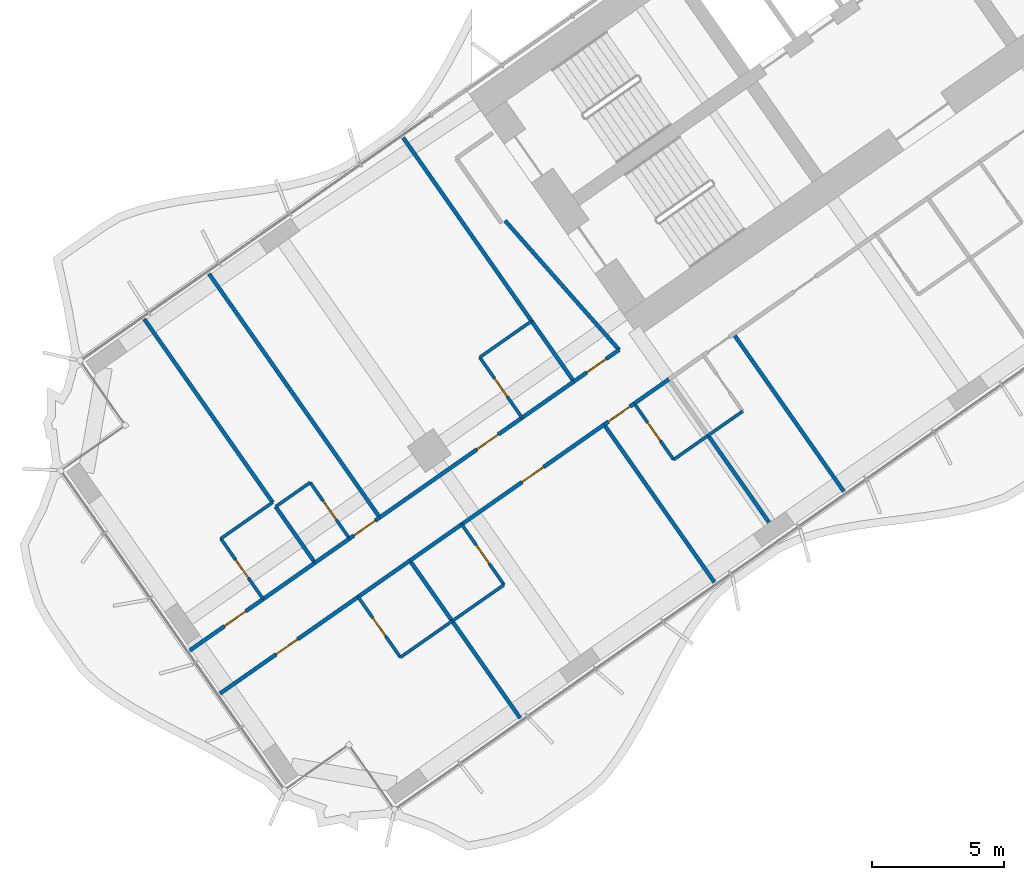
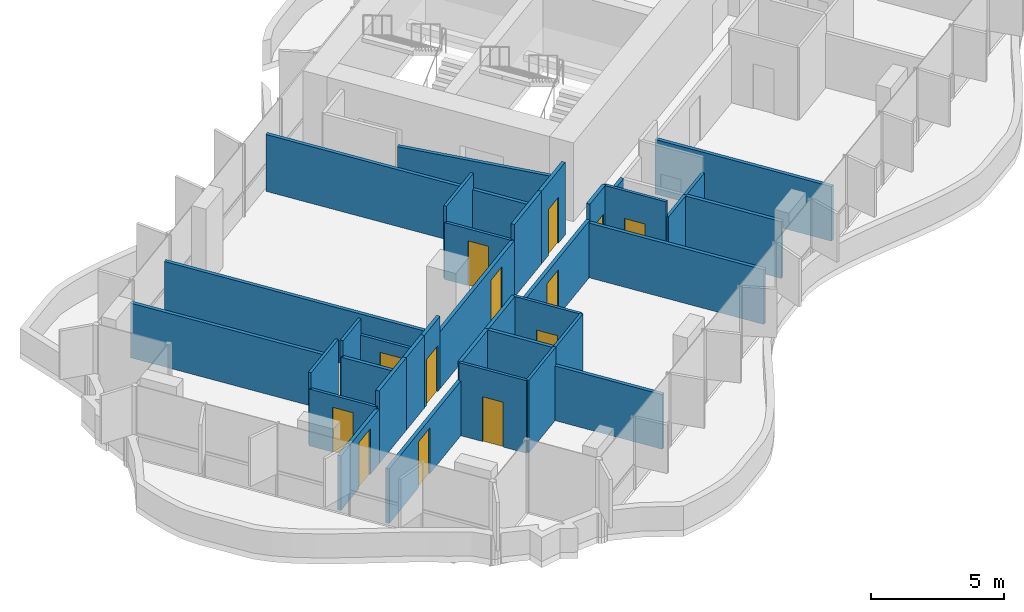
# One storey, part 12 of 23: 37 walls, 13 doors, 13 openings.
"""IFC4 building model written with IfcOpenShell, lengths in metres."""

from ifc_helpers import new_model, si_unit, direction, frame, frame_2d, origin, place, context, subcontext, project, spatial, rectangle, extrude, material, layer, layer_set, type_object, element, fill, save


model = new_model("IFC4")

# Units and contexts
model_context = context("Model", 3, precision=1e-05, world=origin(), true_north=direction((0.0, 1.0)))
body_context = subcontext(model_context, "Body", "Model", "MODEL_VIEW")
ifc_project = project(units=[si_unit("LENGTHUNIT", "METRE"), si_unit("AREAUNIT", "SQUARE_METRE"), si_unit("VOLUMEUNIT", "CUBIC_METRE"), si_unit("PLANEANGLEUNIT", "RADIAN"), si_unit("MASSUNIT", "GRAM", prefix="KILO")], contexts=[model_context])

# Site, building, storey
site_placement = place(None, origin())
site = spatial("IfcSite", under=ifc_project, at=site_placement, CompositionType="ELEMENT")
building_placement = place(site_placement, origin())
building = spatial("IfcBuilding", under=site, at=building_placement, Name="Tel Ilan Convention Tower", CompositionType="ELEMENT")
storey_placement = place(building_placement, frame((0.0, 0.0, 86.89990234375)))
storey = spatial("IfcBuildingStorey", under=building, at=storey_placement, Name="L17", CompositionType="ELEMENT", Elevation=86.89990234375)

# Wall, opening, door
ifc_material_1 = material(Name="Plasterboard on Steel Studs", Category="steel")
ifc_layer_1 = layer(ifc_material_1, 0.14990234375)
ifc_layer_set_1 = layer_set([ifc_layer_1], Name="Fire-rated Partition 150 EI 60")
wall_type_1 = type_object("IfcWallType", Name="Fire-rated Partition 150 EI 60", PredefinedType="PARTITIONING", material=ifc_layer_set_1)
wall_1_placement = place(storey_placement, frame((-24.002685546875, -18.027587890625, 0.0), z_axis=(0.0, 0.0, 1.0), x_axis=(0.819160859995, 0.573563846013, 0.0)))
wall_1 = element("IfcWall", 1, at=wall_1_placement, inside=storey, type_object=wall_type_1, Name="Partition 017", PredefinedType="PARTITIONING", context=body_context, shape_type="SweptSolid", body=[
    extrude(rectangle(XDim=2.098388671875, YDim=0.14990234375, at=frame_2d((1.04931640625, 0.0))), origin(), (0.0, 0.0, 1.0), 3.320068359375),
])
opening_1_placement = place(wall_1_placement, frame((0.59912109375, 0.0, 0.0)))
opening_1 = element("IfcOpeningElement", 2, at=opening_1_placement, cuts=wall_1, Name="Opening L15-013", PredefinedType="OPENING", context=body_context, shape_type="SweptSolid", body=[
    extrude(rectangle(XDim=0.89990234375, YDim=2.10009765625, at=frame_2d((0.449951171875, 1.050048828125))), frame((0.0, 0.0849609375, 0.0), z_axis=(0.0, -1.0, 0.0), x_axis=(1.0, 0.0, 0.0)), (0.0, 0.0, 1.0), 0.169921875),
])
ifc_material_2 = material(Name="Timber Door Leaf in Steel Frame", Category="steel")
door_type_1 = type_object("IfcDoorType", Name="Room Fire Door 900x2100", OperationType="NOTDEFINED", PredefinedType="DOOR", material=ifc_material_2)
door_1_placement = place(opening_1_placement, origin())
door_1 = element("IfcDoor", 3, at=door_1_placement, inside=storey, type_object=door_type_1, Name="Door L15-013", OperationType="SINGLE_SWING_LEFT", OverallHeight=2.10009765625, OverallWidth=0.89990234375, PredefinedType="DOOR", context=body_context, shape_type="SweptSolid", body=[
    extrude(rectangle(XDim=0.89990234375, YDim=2.10009765625, at=frame_2d((0.449951171875, 1.050048828125))), frame((0.0, 0.02490234375, 0.0), z_axis=(0.0, -1.0, 0.0), x_axis=(1.0, 0.0, 0.0)), (0.0, 0.0, 1.0), 0.050048828125),
])
fill(opening_1, door_1)

wall_2_placement = place(storey_placement, frame((-31.375, -23.189697265625, 0.0), z_axis=(0.0, 0.0, 1.0), x_axis=(0.819171118839, 0.573549194106, 0.0)))
wall_2 = element("IfcWall", 4, at=wall_2_placement, inside=storey, type_object=wall_type_1, Name="Partition 018", PredefinedType="PARTITIONING", context=body_context, shape_type="SweptSolid", body=[
    extrude(rectangle(XDim=6.60302734375, YDim=0.14990234375, at=frame_2d((3.301513671875, 0.0))), origin(), (0.0, 0.0, 1.0), 2.60009765625),
])
opening_2_placement = place(wall_2_placement, frame((4.501953125, 0.0, 0.0)))
opening_2 = element("IfcOpeningElement", 5, at=opening_2_placement, cuts=wall_2, Name="Opening L15-015", PredefinedType="OPENING", context=body_context, shape_type="SweptSolid", body=[
    extrude(rectangle(XDim=1.0, YDim=2.10009765625, at=frame_2d((0.5, 1.050048828125))), frame((0.0, 0.0849609375, 0.0), z_axis=(0.0, -1.0, 0.0), x_axis=(1.0, 0.0, 0.0)), (0.0, 0.0, 1.0), 0.169921875),
])
ifc_material_3 = material(Name="Timber Door Leaf in Steel Frame", Category="steel")
door_type_2 = type_object("IfcDoorType", Name="Hotel Room Entrance Fire Door 1000x2100", OperationType="NOTDEFINED", PredefinedType="DOOR", material=ifc_material_3)
door_2_placement = place(opening_2_placement, origin())
door_2 = element("IfcDoor", 6, at=door_2_placement, inside=storey, type_object=door_type_2, Name="Door L15-015", OperationType="SINGLE_SWING_LEFT", OverallHeight=2.10009765625, OverallWidth=1.0, PredefinedType="DOOR", context=body_context, shape_type="SweptSolid", body=[
    extrude(rectangle(XDim=1.0, YDim=2.10009765625, at=frame_2d((0.5, 1.050048828125))), frame((0.0, 0.02490234375, 0.0), z_axis=(0.0, -1.0, 0.0), x_axis=(1.0, 0.0, 0.0)), (0.0, 0.0, 1.0), 0.050048828125),
])
fill(opening_2, door_2)

# Wall
wall_3_placement = place(storey_placement, frame((-25.968505859375, -19.404296875, 0.0), z_axis=(0.0, 0.0, 1.0), x_axis=(0.819146032251, 0.573585022335, 0.0)))
element("IfcWall", 7, at=wall_3_placement, inside=storey, type_object=wall_type_1, Name="Partition 019", PredefinedType="PARTITIONING", context=body_context, shape_type="SweptSolid", body=[
    extrude(rectangle(XDim=2.404052734375, YDim=0.14990234375, at=frame_2d((1.2021484375, 0.0))), origin(), (0.0, 0.0, 1.0), 3.320068359375),
])

# Wall, opening, door
wall_4_placement = place(storey_placement, frame((-32.52099609375, -23.9921875, 0.0), z_axis=(0.0, 0.0, 1.0), x_axis=(0.819199220913, 0.573509055252, 0.0)))
wall_4 = element("IfcWall", 8, at=wall_4_placement, inside=storey, type_object=wall_type_1, Name="Partition 020", PredefinedType="PARTITIONING", context=body_context, shape_type="SweptSolid", body=[
    extrude(rectangle(XDim=1.403076171875, YDim=0.14990234375, at=frame_2d((0.70166015625, 0.0))), origin(), (0.0, 0.0, 1.0), 3.320068359375),
])
opening_3_placement = place(wall_4_placement, frame((0.200927734375, 0.0, 0.0)))
opening_3 = element("IfcOpeningElement", 9, at=opening_3_placement, cuts=wall_4, Name="Opening L15-017", PredefinedType="OPENING", context=body_context, shape_type="SweptSolid", body=[
    extrude(rectangle(XDim=1.0, YDim=2.10009765625, at=frame_2d((0.5, 1.050048828125))), frame((0.0, 0.0849609375, 0.0), z_axis=(0.0, -1.0, 0.0), x_axis=(1.0, 0.0, 0.0)), (0.0, 0.0, 1.0), 0.169921875),
])
door_3_placement = place(opening_3_placement, origin())
door_3 = element("IfcDoor", 10, at=door_3_placement, inside=storey, type_object=door_type_2, Name="Door L15-017", OperationType="SINGLE_SWING_RIGHT", OverallHeight=2.10009765625, OverallWidth=1.0, PredefinedType="DOOR", context=body_context, shape_type="SweptSolid", body=[
    extrude(rectangle(XDim=1.0, YDim=2.10009765625, at=frame_2d((0.5, 1.050048828125))), frame((0.0, 0.02490234375, 0.0), z_axis=(0.0, -1.0, 0.0), x_axis=(1.0, 0.0, 0.0)), (0.0, 0.0, 1.0), 0.050048828125),
])
fill(opening_3, door_3)

# Wall
wall_5_placement = place(storey_placement, frame((-33.83251953125, -24.910400390625, 0.0), z_axis=(0.0, 0.0, 1.0), x_axis=(0.819189013667, 0.573523634986, 0.0)))
element("IfcWall", 11, at=wall_5_placement, inside=storey, type_object=wall_type_1, Name="Partition 021", PredefinedType="PARTITIONING", context=body_context, shape_type="SweptSolid", body=[
    extrude(rectangle(XDim=1.60400390625, YDim=0.14990234375, at=frame_2d((0.802001953125, 0.0))), origin(), (0.0, 0.0, 1.0), 3.320068359375),
])

# Wall, opening, door
wall_6_placement = place(storey_placement, frame((-38.581787109375, -28.236083984375, 0.0), z_axis=(0.0, 0.0, 1.0), x_axis=(0.819154345195, 0.573573150303, 0.0)))
wall_6 = element("IfcWall", 12, at=wall_6_placement, inside=storey, type_object=wall_type_1, Name="Partition 022", PredefinedType="PARTITIONING", context=body_context, shape_type="SweptSolid", body=[
    extrude(rectangle(XDim=3.40087890625, YDim=0.14990234375, at=frame_2d((1.700439453125, 0.0))), origin(), (0.0, 0.0, 1.0), 2.5),
])
opening_4_placement = place(wall_6_placement, frame((1.60009765625, 0.0, 0.0)))
opening_4 = element("IfcOpeningElement", 13, at=opening_4_placement, cuts=wall_6, Name="Opening L15-019", PredefinedType="OPENING", context=body_context, shape_type="SweptSolid", body=[
    extrude(rectangle(XDim=1.0, YDim=2.10009765625, at=frame_2d((0.5, 1.050048828125))), frame((0.0, 0.0849609375, 0.0), z_axis=(0.0, -1.0, 0.0), x_axis=(1.0, 0.0, 0.0)), (0.0, 0.0, 1.0), 0.169921875),
])
door_4_placement = place(opening_4_placement, origin())
door_4 = element("IfcDoor", 14, at=door_4_placement, inside=storey, type_object=door_type_2, Name="Door L15-019", OperationType="SINGLE_SWING_LEFT", OverallHeight=2.10009765625, OverallWidth=1.0, PredefinedType="DOOR", context=body_context, shape_type="SweptSolid", body=[
    extrude(rectangle(XDim=1.0, YDim=2.10009765625, at=frame_2d((0.5, 1.050048828125))), frame((0.0, 0.02490234375, 0.0), z_axis=(0.0, -1.0, 0.0), x_axis=(1.0, 0.0, 0.0)), (0.0, 0.0, 1.0), 0.050048828125),
])
fill(opening_4, door_4)

# Wall
wall_7_placement = place(storey_placement, frame((-35.79833984375, -26.287109375, 0.0), z_axis=(0.0, 0.0, 1.0), x_axis=(0.819146032251, 0.573585022335, 0.0)))
element("IfcWall", 15, at=wall_7_placement, inside=storey, type_object=wall_type_1, Name="Partition 023", PredefinedType="PARTITIONING", context=body_context, shape_type="SweptSolid", body=[
    extrude(rectangle(XDim=2.404052734375, YDim=0.14990234375, at=frame_2d((1.2021484375, 0.0))), origin(), (0.0, 0.0, 1.0), 3.320068359375),
])

# Wall, opening, door
wall_8_placement = place(storey_placement, frame((-21.706298828125, -18.861083984375, 0.0), z_axis=(0.0, 0.0, 1.0), x_axis=(-0.819060210533, -0.573707566205, 0.0)))
wall_8 = element("IfcWall", 16, at=wall_8_placement, inside=storey, type_object=wall_type_1, Name="Partition 030", PredefinedType="PARTITIONING", context=body_context, shape_type="SweptSolid", body=[
    extrude(rectangle(XDim=1.403076171875, YDim=0.14990234375, at=frame_2d((0.70166015625, 0.0))), origin(), (0.0, 0.0, 1.0), 3.320068359375),
])
opening_5_placement = place(wall_8_placement, frame((0.200927734375, 0.0, 0.0)))
opening_5 = element("IfcOpeningElement", 17, at=opening_5_placement, cuts=wall_8, Name="Opening L15-008", PredefinedType="OPENING", context=body_context, shape_type="SweptSolid", body=[
    extrude(rectangle(XDim=1.0, YDim=2.10009765625, at=frame_2d((0.5, 1.050048828125))), frame((0.0, 0.0849609375, 0.0), z_axis=(0.0, -1.0, 0.0), x_axis=(1.0, 0.0, 0.0)), (0.0, 0.0, 1.0), 0.169921875),
])
door_5_placement = place(opening_5_placement, origin())
door_5 = element("IfcDoor", 18, at=door_5_placement, inside=storey, type_object=door_type_2, Name="Door L15-008", OperationType="SINGLE_SWING_LEFT", OverallHeight=2.10009765625, OverallWidth=1.0, PredefinedType="DOOR", context=body_context, shape_type="SweptSolid", body=[
    extrude(rectangle(XDim=1.0, YDim=2.10009765625, at=frame_2d((0.5, 1.050048828125))), frame((0.0, 0.02490234375, 0.0), z_axis=(0.0, -1.0, 0.0), x_axis=(1.0, 0.0, 0.0)), (0.0, 0.0, 1.0), 0.050048828125),
])
fill(opening_5, door_5)

# Wall
wall_9_placement = place(storey_placement, frame((-20.394775390625, -17.94287109375, 0.0), z_axis=(0.0, 0.0, 1.0), x_axis=(-0.819189013667, -0.573523634986, 0.0)))
element("IfcWall", 19, at=wall_9_placement, inside=storey, type_object=wall_type_1, Name="Partition 031", PredefinedType="PARTITIONING", context=body_context, shape_type="SweptSolid", body=[
    extrude(rectangle(XDim=1.60400390625, YDim=0.14990234375, at=frame_2d((0.802001953125, 0.0))), origin(), (0.0, 0.0, 1.0), 2.60009765625),
])

# Wall, opening, door
wall_10_placement = place(storey_placement, frame((-22.852294921875, -19.66357421875, 0.0), z_axis=(0.0, 0.0, 1.0), x_axis=(-0.819141582452, -0.573591377113, 0.0)))
wall_10 = element("IfcWall", 20, at=wall_10_placement, inside=storey, type_object=wall_type_1, Name="Partition 032", PredefinedType="PARTITIONING", context=body_context, shape_type="SweptSolid", body=[
    extrude(rectangle(XDim=6.602783203125, YDim=0.14990234375, at=frame_2d((3.30126953125, 0.0))), origin(), (0.0, 0.0, 1.0), 2.60009765625),
])
opening_6_placement = place(wall_10_placement, frame((2.802001953125, 0.0, 0.0)))
opening_6 = element("IfcOpeningElement", 21, at=opening_6_placement, cuts=wall_10, Name="Opening L15-010", PredefinedType="OPENING", context=body_context, shape_type="SweptSolid", body=[
    extrude(rectangle(XDim=1.0, YDim=2.10009765625, at=frame_2d((0.5, 1.050048828125))), frame((0.0, 0.0849609375, 0.0), z_axis=(0.0, -1.0, 0.0), x_axis=(1.0, 0.0, 0.0)), (0.0, 0.0, 1.0), 0.169921875),
])
door_6_placement = place(opening_6_placement, origin())
door_6 = element("IfcDoor", 22, at=door_6_placement, inside=storey, type_object=door_type_2, Name="Door L15-010", OperationType="SINGLE_SWING_LEFT", OverallHeight=2.10009765625, OverallWidth=1.0, PredefinedType="DOOR", context=body_context, shape_type="SweptSolid", body=[
    extrude(rectangle(XDim=1.0, YDim=2.10009765625, at=frame_2d((0.5, 1.050048828125))), frame((0.0, 0.02490234375, 0.0), z_axis=(0.0, -1.0, 0.0), x_axis=(1.0, 0.0, 0.0)), (0.0, 0.0, 1.0), 0.050048828125),
])
fill(opening_6, door_6)

# Wall
wall_11_placement = place(storey_placement, frame((-28.258544921875, -23.44921875, 0.0), z_axis=(0.0, 0.0, 1.0), x_axis=(-0.819146032251, -0.573585022335, 0.0)))
element("IfcWall", 23, at=wall_11_placement, inside=storey, type_object=wall_type_1, Name="Partition 033", PredefinedType="PARTITIONING", context=body_context, shape_type="SweptSolid", body=[
    extrude(rectangle(XDim=2.404052734375, YDim=0.14990234375, at=frame_2d((1.2021484375, 0.0))), origin(), (0.0, 0.0, 1.0), 3.320068359375),
])

# Wall, opening, door
wall_12_placement = place(storey_placement, frame((-32.19140625, -26.202880859375, 0.0), z_axis=(0.0, 0.0, 1.0), x_axis=(-0.819140526837, -0.573592884626, 0.0)))
wall_12 = element("IfcWall", 24, at=wall_12_placement, inside=storey, type_object=wall_type_1, Name="Partition 034", PredefinedType="PARTITIONING", context=body_context, shape_type="SweptSolid", body=[
    extrude(rectangle(XDim=6.401123046875, YDim=0.14990234375, at=frame_2d((3.20068359375, 0.0))), origin(), (0.0, 0.0, 1.0), 2.5),
])
opening_7_placement = place(wall_12_placement, frame((2.801025390625, 0.0, 0.0)))
opening_7 = element("IfcOpeningElement", 25, at=opening_7_placement, cuts=wall_12, Name="Opening L15-012", PredefinedType="OPENING", context=body_context, shape_type="SweptSolid", body=[
    extrude(rectangle(XDim=1.0, YDim=2.10009765625, at=frame_2d((0.5, 1.050048828125))), frame((0.0, 0.0849609375, 0.0), z_axis=(0.0, -1.0, 0.0), x_axis=(1.0, 0.0, 0.0)), (0.0, 0.0, 1.0), 0.169921875),
])
door_7_placement = place(opening_7_placement, origin())
door_7 = element("IfcDoor", 26, at=door_7_placement, inside=storey, type_object=door_type_2, Name="Door L15-012", OperationType="SINGLE_SWING_LEFT", OverallHeight=2.10009765625, OverallWidth=1.0, PredefinedType="DOOR", context=body_context, shape_type="SweptSolid", body=[
    extrude(rectangle(XDim=1.0, YDim=2.10009765625, at=frame_2d((0.5, 1.050048828125))), frame((0.0, 0.02490234375, 0.0), z_axis=(0.0, -1.0, 0.0), x_axis=(1.0, 0.0, 0.0)), (0.0, 0.0, 1.0), 0.050048828125),
])
fill(opening_7, door_7)

# Walls
wall_13_placement = place(storey_placement, frame((-30.224609375, -24.82568359375, 0.0), z_axis=(0.0, 0.0, 1.0), x_axis=(-0.819146032251, -0.573585022335, 0.0)))
element("IfcWall", 27, at=wall_13_placement, inside=storey, type_object=wall_type_1, Name="Partition 035", PredefinedType="PARTITIONING", context=body_context, shape_type="SweptSolid", body=[
    extrude(rectangle(XDim=2.404052734375, YDim=0.14990234375, at=frame_2d((1.2021484375, 0.0))), origin(), (0.0, 0.0, 1.0), 3.320068359375),
])
wall_14_placement = place(storey_placement, frame((-22.2841796875, -16.82666015625, 0.0), z_axis=(0.0, 0.0, 1.0), x_axis=(-0.661545117561, 0.749905365651, 0.0)))
element("IfcWall", 28, at=wall_14_placement, inside=storey, type_object=wall_type_1, Name="Partition 067", PredefinedType="PARTITIONING", context=body_context, shape_type="SweptSolid", body=[
    extrude(rectangle(XDim=6.542724609375, YDim=0.14990234375, at=frame_2d((3.271484375, 0.0))), origin(), (0.0, 0.0, 1.0), 2.60009765625),
])
wall_15_placement = place(storey_placement, frame((-25.6064453125, -15.733642578125, 0.0), z_axis=(0.0, 0.0, 1.0), x_axis=(-0.573576058406, 0.819152308929, 0.0)))
element("IfcWall", 29, at=wall_15_placement, inside=storey, type_object=wall_type_1, Name="Partition 068", PredefinedType="PARTITIONING", context=body_context, shape_type="SweptSolid", body=[
    extrude(rectangle(XDim=8.5009765625, YDim=0.14990234375, at=frame_2d((4.25048828125, 0.0))), origin(), (0.0, 0.0, 1.0), 2.60009765625),
])
wall_16_placement = place(storey_placement, frame((-24.0009765625, -18.0263671875, 0.0), z_axis=(0.0, 0.0, 1.0), x_axis=(-0.573596837309, 0.819137759006, 0.0)))
element("IfcWall", 30, at=wall_16_placement, inside=storey, type_object=wall_type_1, Name="Partition 069", PredefinedType="PARTITIONING", context=body_context, shape_type="SweptSolid", body=[
    extrude(rectangle(XDim=2.802001953125, YDim=0.14990234375, at=frame_2d((1.40087890625, 0.0))), origin(), (0.0, 0.0, 1.0), 2.60009765625),
])
wall_17_placement = place(storey_placement, frame((-31.373291015625, -23.188720703125, 0.0), z_axis=(0.0, 0.0, 1.0), x_axis=(-0.573571089604, 0.819155788095, 0.0)))
element("IfcWall", 31, at=wall_17_placement, inside=storey, type_object=wall_type_1, Name="Partition 072", PredefinedType="PARTITIONING", context=body_context, shape_type="SweptSolid", body=[
    extrude(rectangle(XDim=11.300048828125, YDim=0.14990234375, at=frame_2d((5.64990234375, 0.0))), origin(), (0.0, 0.0, 1.0), 2.5),
])
wall_18_placement = place(storey_placement, frame((-35.436279296875, -22.61669921875, 0.0), z_axis=(0.0, 0.0, 1.0), x_axis=(-0.57356256513, 0.819161756848, 0.0)))
element("IfcWall", 32, at=wall_18_placement, inside=storey, type_object=wall_type_1, Name="Partition 075", PredefinedType="PARTITIONING", context=body_context, shape_type="SweptSolid", body=[
    extrude(rectangle(XDim=8.501220703125, YDim=0.14990234375, at=frame_2d((4.25048828125, 0.0))), origin(), (0.0, 0.0, 1.0), 2.5),
])
wall_19_placement = place(storey_placement, frame((-33.830810546875, -24.909423828125, 0.0), z_axis=(0.0, 0.0, 1.0), x_axis=(-0.573537965655, 0.819178980414, 0.0)))
element("IfcWall", 33, at=wall_19_placement, inside=storey, type_object=wall_type_1, Name="Partition 076", PredefinedType="PARTITIONING", context=body_context, shape_type="SweptSolid", body=[
    extrude(rectangle(XDim=2.60009765625, YDim=0.14990234375, at=frame_2d((1.300048828125, 0.0))), origin(), (0.0, 0.0, 1.0), 2.60009765625),
])
wall_20_placement = place(storey_placement, frame((-13.751708984375, -22.203125, 0.0), z_axis=(0.0, 0.0, 1.0), x_axis=(-0.573594765376, 0.819139209862, 0.0)))
element("IfcWall", 34, at=wall_20_placement, inside=storey, type_object=wall_type_1, Name="Partition 085", PredefinedType="PARTITIONING", context=body_context, shape_type="SweptSolid", body=[
    extrude(rectangle(XDim=7.300048828125, YDim=0.14990234375, at=frame_2d((3.64990234375, 0.0))), origin(), (0.0, 0.0, 1.0), 2.5),
])
wall_21_placement = place(storey_placement, frame((-16.593505859375, -23.375, 0.0), z_axis=(0.0, 0.0, 1.0), x_axis=(-0.573600608675, 0.819135118114, 0.0)))
element("IfcWall", 35, at=wall_21_placement, inside=storey, type_object=wall_type_1, Name="Partition 088", PredefinedType="PARTITIONING", context=body_context, shape_type="SweptSolid", body=[
    extrude(rectangle(XDim=4.029052734375, YDim=0.14990234375, at=frame_2d((2.0146484375, 0.0))), origin(), (0.0, 0.0, 1.0), 2.60009765625),
])
wall_22_placement = place(storey_placement, frame((-18.666748046875, -25.64453125, 0.0), z_axis=(0.0, 0.0, 1.0), x_axis=(-0.573572324301, 0.819154923562, 0.0)))
element("IfcWall", 36, at=wall_22_placement, inside=storey, type_object=wall_type_1, Name="Partition 092", PredefinedType="PARTITIONING", context=body_context, shape_type="SweptSolid", body=[
    extrude(rectangle(XDim=7.2998046875, YDim=0.14990234375, at=frame_2d((3.64990234375, 0.0))), origin(), (0.0, 0.0, 1.0), 2.5),
])
wall_23_placement = place(storey_placement, frame((-26.0390625, -30.806640625, 0.0), z_axis=(0.0, 0.0, 1.0), x_axis=(-0.573589807488, 0.819142681555, 0.0)))
element("IfcWall", 37, at=wall_23_placement, inside=storey, type_object=wall_type_1, Name="Partition 095", PredefinedType="PARTITIONING", context=body_context, shape_type="SweptSolid", body=[
    extrude(rectangle(XDim=4.4990234375, YDim=0.14990234375, at=frame_2d((2.24951171875, 0.0))), origin(), (0.0, 0.0, 1.0), 2.5),
])
wall_24_placement = place(storey_placement, frame((-28.6201171875, -27.12060546875, 0.0), z_axis=(0.0, 0.0, 1.0), x_axis=(-0.573608623498, 0.819129505664, 0.0)))
element("IfcWall", 38, at=wall_24_placement, inside=storey, type_object=wall_type_1, Name="Partition 096", PredefinedType="PARTITIONING", context=body_context, shape_type="SweptSolid", body=[
    extrude(rectangle(XDim=2.800048828125, YDim=0.14990234375, at=frame_2d((1.39990234375, 0.0))), origin(), (0.0, 0.0, 1.0), 3.320068359375),
])
ifc_material_4 = material(Name="Plasterboard on Steel Studs", Category="steel")
ifc_layer_2 = layer(ifc_material_4, 0.1201171875)
ifc_layer_set_2 = layer_set([ifc_layer_2], Name="Moisture-resistant Partition 120")
wall_type_2 = type_object("IfcWallType", Name="Moisture-resistant Partition 120", PredefinedType="PARTITIONING", material=ifc_layer_set_2)
wall_25_placement = place(storey_placement, frame((-25.607666015625, -15.73193359375, 0.0), z_axis=(0.0, 0.0, 1.0), x_axis=(-0.819107643868, -0.573639841501, 0.0)))
element("IfcWall", 39, at=wall_25_placement, inside=storey, type_object=wall_type_2, Name="Partition 070", PredefinedType="PARTITIONING", context=body_context, shape_type="SweptSolid", body=[
    extrude(rectangle(XDim=2.39990234375, YDim=0.1201171875, at=frame_2d((1.199951171875, 0.0))), origin(), (0.0, 0.0, 1.0), 3.320068359375),
])

# Wall, opening, door
wall_26_placement = place(storey_placement, frame((-27.57373046875, -17.110107421875, 0.0), z_axis=(0.0, 0.0, 1.0), x_axis=(0.573591086599, -0.819141785879, 0.0)))
wall_26 = element("IfcWall", 40, at=wall_26_placement, inside=storey, type_object=wall_type_2, Name="Partition 071", PredefinedType="PARTITIONING", context=body_context, shape_type="SweptSolid", body=[
    extrude(rectangle(XDim=2.7998046875, YDim=0.1201171875, at=frame_2d((1.39990234375, 0.0))), origin(), (0.0, 0.0, 1.0), 2.60009765625),
])
opening_8_placement = place(wall_26_placement, frame((0.97509765625, 0.0, 0.0)))
opening_8 = element("IfcOpeningElement", 41, at=opening_8_placement, cuts=wall_26, Name="Opening L15-014", PredefinedType="OPENING", context=body_context, shape_type="SweptSolid", body=[
    extrude(rectangle(XDim=0.85009765625, YDim=2.050048828125, at=frame_2d((0.425048828125, 1.02490234375))), frame((0.0, 0.070068359375, 0.0), z_axis=(0.0, -1.0, 0.0), x_axis=(1.0, 0.0, 0.0)), (0.0, 0.0, 1.0), 0.14013671875),
])
ifc_material_5 = material(Name="Timber Door Leaf in Steel Frame", Category="steel")
door_type_3 = type_object("IfcDoorType", Name="Bathroom Timber Door 850x2050", OperationType="NOTDEFINED", PredefinedType="DOOR", material=ifc_material_5)
door_8_placement = place(opening_8_placement, origin())
door_8 = element("IfcDoor", 42, at=door_8_placement, inside=storey, type_object=door_type_3, Name="Door L15-014", OperationType="SINGLE_SWING_RIGHT", OverallHeight=2.050048828125, OverallWidth=0.85009765625, PredefinedType="DOOR", context=body_context, shape_type="SweptSolid", body=[
    extrude(rectangle(XDim=0.85009765625, YDim=2.050048828125, at=frame_2d((0.425048828125, 1.02490234375))), frame((0.0, 0.02490234375, 0.0), z_axis=(0.0, -1.0, 0.0), x_axis=(1.0, 0.0, 0.0)), (0.0, 0.0, 1.0), 0.050048828125),
])
fill(opening_8, door_8)

wall_27_placement = place(storey_placement, frame((-32.519287109375, -23.9912109375, 0.0), z_axis=(0.0, 0.0, 1.0), x_axis=(-0.573537965655, 0.819178980414, 0.0)))
wall_27 = element("IfcWall", 43, at=wall_27_placement, inside=storey, type_object=wall_type_2, Name="Partition 073", PredefinedType="PARTITIONING", context=body_context, shape_type="SweptSolid", body=[
    extrude(rectangle(XDim=2.60009765625, YDim=0.1201171875, at=frame_2d((1.300048828125, 0.0))), origin(), (0.0, 0.0, 1.0), 2.60009765625),
])
opening_9_placement = place(wall_27_placement, frame((0.875, 0.0, 0.0)))
opening_9 = element("IfcOpeningElement", 44, at=opening_9_placement, cuts=wall_27, Name="Opening L15-016", PredefinedType="OPENING", context=body_context, shape_type="SweptSolid", body=[
    extrude(rectangle(XDim=0.85009765625, YDim=2.050048828125, at=frame_2d((0.425048828125, 1.02490234375))), frame((0.0, 0.070068359375, 0.0), z_axis=(0.0, -1.0, 0.0), x_axis=(1.0, 0.0, 0.0)), (0.0, 0.0, 1.0), 0.14013671875),
])
door_9_placement = place(opening_9_placement, origin())
door_9 = element("IfcDoor", 45, at=door_9_placement, inside=storey, type_object=door_type_3, Name="Door L15-016", OperationType="SINGLE_SWING_LEFT", OverallHeight=2.050048828125, OverallWidth=0.85009765625, PredefinedType="DOOR", context=body_context, shape_type="SweptSolid", body=[
    extrude(rectangle(XDim=0.85009765625, YDim=2.050048828125, at=frame_2d((0.425048828125, 1.02490234375))), frame((0.0, 0.02490234375, 0.0), z_axis=(0.0, -1.0, 0.0), x_axis=(1.0, 0.0, 0.0)), (0.0, 0.0, 1.0), 0.050048828125),
])
fill(opening_9, door_9)

# Walls
wall_28_placement = place(storey_placement, frame((-34.011962890625, -21.861083984375, 0.0), z_axis=(0.0, 0.0, 1.0), x_axis=(-0.81918174131, -0.573534022273, 0.0)))
element("IfcWall", 46, at=wall_28_placement, inside=storey, type_object=wall_type_2, Name="Partition 074", PredefinedType="PARTITIONING", context=body_context, shape_type="SweptSolid", body=[
    extrude(rectangle(XDim=1.60009765625, YDim=0.1201171875, at=frame_2d((0.800048828125, 0.0))), origin(), (0.0, 0.0, 1.0), 3.320068359375),
])
wall_29_placement = place(storey_placement, frame((-35.4375, -22.614990234375, 0.0), z_axis=(0.0, 0.0, 1.0), x_axis=(-0.819155442668, -0.573571582932, 0.0)))
element("IfcWall", 47, at=wall_29_placement, inside=storey, type_object=wall_type_2, Name="Partition 077", PredefinedType="PARTITIONING", context=body_context, shape_type="SweptSolid", body=[
    extrude(rectangle(XDim=2.39990234375, YDim=0.1201171875, at=frame_2d((1.199951171875, 0.0))), origin(), (0.0, 0.0, 1.0), 3.320068359375),
])

# Wall, opening, door
wall_30_placement = place(storey_placement, frame((-37.403564453125, -23.992919921875, 0.0), z_axis=(0.0, 0.0, 1.0), x_axis=(0.573550118428, -0.819170471667, 0.0)))
wall_30 = element("IfcWall", 48, at=wall_30_placement, inside=storey, type_object=wall_type_2, Name="Partition 078", PredefinedType="PARTITIONING", context=body_context, shape_type="SweptSolid", body=[
    extrude(rectangle(XDim=2.800048828125, YDim=0.1201171875, at=frame_2d((1.39990234375, 0.0))), origin(), (0.0, 0.0, 1.0), 2.60009765625),
])
opening_10_placement = place(wall_30_placement, frame((0.97509765625, 0.0, 0.0)))
opening_10 = element("IfcOpeningElement", 49, at=opening_10_placement, cuts=wall_30, Name="Opening L15-018", PredefinedType="OPENING", context=body_context, shape_type="SweptSolid", body=[
    extrude(rectangle(XDim=0.85009765625, YDim=2.050048828125, at=frame_2d((0.425048828125, 1.02490234375))), frame((0.0, 0.070068359375, 0.0), z_axis=(0.0, -1.0, 0.0), x_axis=(1.0, 0.0, 0.0)), (0.0, 0.0, 1.0), 0.14013671875),
])
door_10_placement = place(opening_10_placement, origin())
door_10 = element("IfcDoor", 50, at=door_10_placement, inside=storey, type_object=door_type_3, Name="Door L15-018", OperationType="SINGLE_SWING_RIGHT", OverallHeight=2.050048828125, OverallWidth=0.85009765625, PredefinedType="DOOR", context=body_context, shape_type="SweptSolid", body=[
    extrude(rectangle(XDim=0.85009765625, YDim=2.050048828125, at=frame_2d((0.425048828125, 1.02490234375))), frame((0.0, 0.02490234375, 0.0), z_axis=(0.0, -1.0, 0.0), x_axis=(1.0, 0.0, 0.0)), (0.0, 0.0, 1.0), 0.050048828125),
])
fill(opening_10, door_10)

# Wall
wall_31_placement = place(storey_placement, frame((-18.904541015625, -20.07470703125, 0.0), z_axis=(0.0, 0.0, 1.0), x_axis=(0.819131543282, 0.57360571371, 0.0)))
element("IfcWall", 51, at=wall_31_placement, inside=storey, type_object=wall_type_2, Name="Partition 086", PredefinedType="PARTITIONING", context=body_context, shape_type="SweptSolid", body=[
    extrude(rectangle(XDim=1.599853515625, YDim=0.1201171875, at=frame_2d((0.7998046875, 0.0))), origin(), (0.0, 0.0, 1.0), 2.60009765625),
])

# Wall, opening, door
wall_32_placement = place(storey_placement, frame((-21.707763671875, -18.8623046875, 0.0), z_axis=(0.0, 0.0, 1.0), x_axis=(0.573537965655, -0.819178980414, 0.0)))
wall_32 = element("IfcWall", 52, at=wall_32_placement, inside=storey, type_object=wall_type_2, Name="Partition 090", PredefinedType="PARTITIONING", context=body_context, shape_type="SweptSolid", body=[
    extrude(rectangle(XDim=2.60009765625, YDim=0.1201171875, at=frame_2d((1.300048828125, 0.0))), origin(), (0.0, 0.0, 1.0), 3.320068359375),
])
opening_11_placement = place(wall_32_placement, frame((0.875, 0.0, 0.0)))
opening_11 = element("IfcOpeningElement", 53, at=opening_11_placement, cuts=wall_32, Name="Opening L15-007", PredefinedType="OPENING", context=body_context, shape_type="SweptSolid", body=[
    extrude(rectangle(XDim=0.85009765625, YDim=2.050048828125, at=frame_2d((0.425048828125, 1.02490234375))), frame((0.0, 0.070068359375, 0.0), z_axis=(0.0, -1.0, 0.0), x_axis=(1.0, 0.0, 0.0)), (0.0, 0.0, 1.0), 0.14013671875),
])
door_11_placement = place(opening_11_placement, origin())
door_11 = element("IfcDoor", 54, at=door_11_placement, inside=storey, type_object=door_type_3, Name="Door L15-007", OperationType="SINGLE_SWING_RIGHT", OverallHeight=2.050048828125, OverallWidth=0.85009765625, PredefinedType="DOOR", context=body_context, shape_type="SweptSolid", body=[
    extrude(rectangle(XDim=0.85009765625, YDim=2.050048828125, at=frame_2d((0.425048828125, 1.02490234375))), frame((0.0, 0.02490234375, 0.0), z_axis=(0.0, -1.0, 0.0), x_axis=(1.0, 0.0, 0.0)), (0.0, 0.0, 1.0), 0.050048828125),
])
fill(opening_11, door_11)

# Walls
wall_33_placement = place(storey_placement, frame((-20.215087890625, -20.992431640625, 0.0), z_axis=(0.0, 0.0, 1.0), x_axis=(0.819131543282, 0.57360571371, 0.0)))
element("IfcWall", 55, at=wall_33_placement, inside=storey, type_object=wall_type_2, Name="Partition 091", PredefinedType="PARTITIONING", context=body_context, shape_type="SweptSolid", body=[
    extrude(rectangle(XDim=1.599853515625, YDim=0.1201171875, at=frame_2d((0.7998046875, 0.0))), origin(), (0.0, 0.0, 1.0), 2.60009765625),
])
wall_34_placement = place(storey_placement, frame((-28.61962890625, -27.121337890625, 0.0), z_axis=(0.0, 0.0, 1.0), x_axis=(0.819188907105, 0.573523787192, 0.0)))
element("IfcWall", 56, at=wall_34_placement, inside=storey, type_object=wall_type_2, Name="Partition 093", PredefinedType="PARTITIONING", context=body_context, shape_type="SweptSolid", body=[
    extrude(rectangle(XDim=2.39990234375, YDim=0.1201171875, at=frame_2d((1.199951171875, 0.0))), origin(), (0.0, 0.0, 1.0), 3.320068359375),
])

# Wall, opening, door
wall_35_placement = place(storey_placement, frame((-26.6533203125, -25.743408203125, 0.0), z_axis=(0.0, 0.0, 1.0), x_axis=(-0.573608623498, 0.819129505664, 0.0)))
wall_35 = element("IfcWall", 57, at=wall_35_placement, inside=storey, type_object=wall_type_2, Name="Partition 094", PredefinedType="PARTITIONING", context=body_context, shape_type="SweptSolid", body=[
    extrude(rectangle(XDim=2.800048828125, YDim=0.1201171875, at=frame_2d((1.39990234375, 0.0))), origin(), (0.0, 0.0, 1.0), 3.320068359375),
])
opening_12_placement = place(wall_35_placement, frame((0.97509765625, 0.0, 0.0)))
opening_12 = element("IfcOpeningElement", 58, at=opening_12_placement, cuts=wall_35, Name="Opening L15-009", PredefinedType="OPENING", context=body_context, shape_type="SweptSolid", body=[
    extrude(rectangle(XDim=0.85009765625, YDim=2.050048828125, at=frame_2d((0.425048828125, 1.02490234375))), frame((0.0, 0.070068359375, 0.0), z_axis=(0.0, -1.0, 0.0), x_axis=(1.0, 0.0, 0.0)), (0.0, 0.0, 1.0), 0.14013671875),
])
door_12_placement = place(opening_12_placement, origin())
door_12 = element("IfcDoor", 59, at=door_12_placement, inside=storey, type_object=door_type_3, Name="Door L15-009", OperationType="SINGLE_SWING_LEFT", OverallHeight=2.050048828125, OverallWidth=0.85009765625, PredefinedType="DOOR", context=body_context, shape_type="SweptSolid", body=[
    extrude(rectangle(XDim=0.85009765625, YDim=2.050048828125, at=frame_2d((0.425048828125, 1.02490234375))), frame((0.0, 0.02490234375, 0.0), z_axis=(0.0, -1.0, 0.0), x_axis=(1.0, 0.0, 0.0)), (0.0, 0.0, 1.0), 0.050048828125),
])
fill(opening_12, door_12)

wall_36_placement = place(storey_placement, frame((-32.193115234375, -26.2041015625, 0.0), z_axis=(0.0, 0.0, 1.0), x_axis=(0.573608623498, -0.819129505664, 0.0)))
wall_36 = element("IfcWall", 60, at=wall_36_placement, inside=storey, type_object=wall_type_2, Name="Partition 097", PredefinedType="PARTITIONING", context=body_context, shape_type="SweptSolid", body=[
    extrude(rectangle(XDim=2.800048828125, YDim=0.1201171875, at=frame_2d((1.39990234375, 0.0))), origin(), (0.0, 0.0, 1.0), 3.320068359375),
])
opening_13_placement = place(wall_36_placement, frame((0.97509765625, 0.0, 0.0)))
opening_13 = element("IfcOpeningElement", 61, at=opening_13_placement, cuts=wall_36, Name="Opening L15-011", PredefinedType="OPENING", context=body_context, shape_type="SweptSolid", body=[
    extrude(rectangle(XDim=0.85009765625, YDim=2.050048828125, at=frame_2d((0.425048828125, 1.02490234375))), frame((0.0, 0.070068359375, 0.0), z_axis=(0.0, -1.0, 0.0), x_axis=(1.0, 0.0, 0.0)), (0.0, 0.0, 1.0), 0.14013671875),
])
door_13_placement = place(opening_13_placement, origin())
door_13 = element("IfcDoor", 62, at=door_13_placement, inside=storey, type_object=door_type_3, Name="Door L15-011", OperationType="SINGLE_SWING_LEFT", OverallHeight=2.050048828125, OverallWidth=0.85009765625, PredefinedType="DOOR", context=body_context, shape_type="SweptSolid", body=[
    extrude(rectangle(XDim=0.85009765625, YDim=2.050048828125, at=frame_2d((0.425048828125, 1.02490234375))), frame((0.0, 0.02490234375, 0.0), z_axis=(0.0, -1.0, 0.0), x_axis=(1.0, 0.0, 0.0)), (0.0, 0.0, 1.0), 0.050048828125),
])
fill(opening_13, door_13)

# Wall
wall_37_placement = place(storey_placement, frame((-30.585693359375, -28.498046875, 0.0), z_axis=(0.0, 0.0, 1.0), x_axis=(0.819141114317, 0.573592045652, 0.0)))
element("IfcWall", 63, at=wall_37_placement, inside=storey, type_object=wall_type_2, Name="Partition 098", PredefinedType="PARTITIONING", context=body_context, shape_type="SweptSolid", body=[
    extrude(rectangle(XDim=2.400146484375, YDim=0.1201171875, at=frame_2d((1.2001953125, 0.0))), origin(), (0.0, 0.0, 1.0), 3.320068359375),
])

save(model, "model.ifc")
